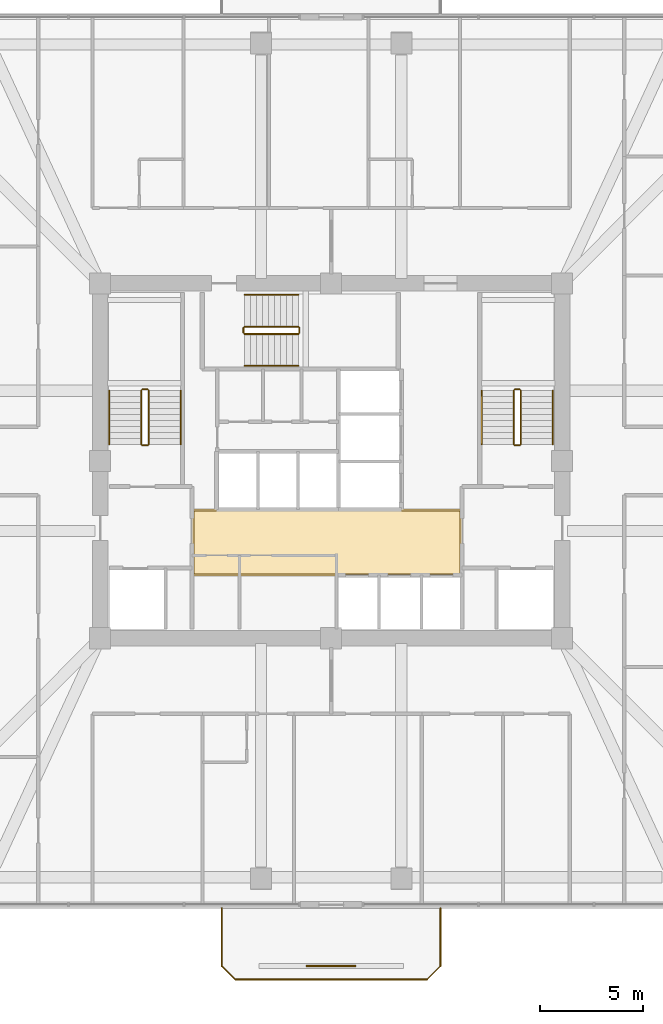
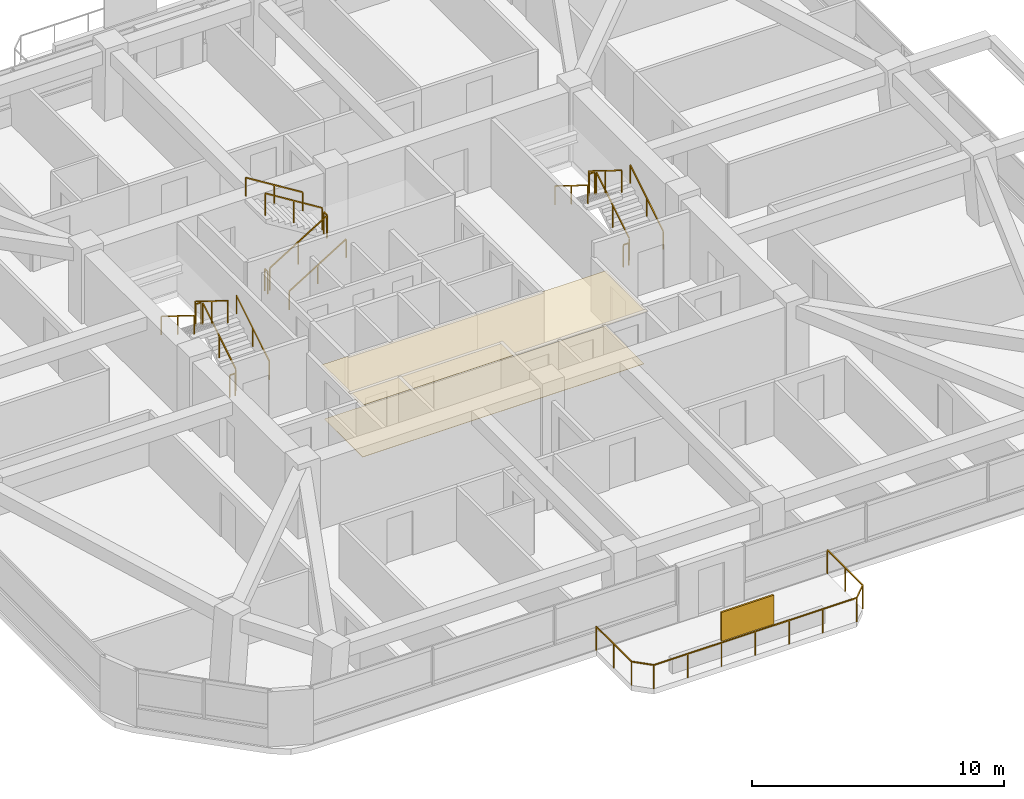
# One storey, part 12 of 13: 19 railings, 2 coverings, 1 shading device.
"""IFC4 building model written with IfcOpenShell, lengths in metres."""

from ifc_helpers import new_model, si_unit, derived_unit, direction, frame, origin, origin_2d, place, context, subcontext, project, spatial, polyline, rectangle, outline, extrude, material, layer, layer_set, type_object, element, save


model = new_model("IFC4")

# Units and contexts
model_context = context("Model", 3, precision=1e-05, world=origin(), true_north=direction((0.0, 1.0)))
body_context = subcontext(model_context, "Body", "Model", "MODEL_VIEW")
ifc_project = project(units=[si_unit("LENGTHUNIT", "METRE"), si_unit("AREAUNIT", "SQUARE_METRE"), si_unit("VOLUMEUNIT", "CUBIC_METRE"), si_unit("PLANEANGLEUNIT", "RADIAN"), si_unit("MASSUNIT", "GRAM", prefix="KILO"), derived_unit("THERMALTRANSMITTANCEUNIT", [(si_unit("POWERUNIT", "WATT"), 1), (si_unit("LENGTHUNIT", "METRE"), -2), (si_unit("THERMODYNAMICTEMPERATUREUNIT", "KELVIN"), -1)])], contexts=[model_context])

# Site, building, storey
site_placement = place(None, origin())
site = spatial("IfcSite", under=ifc_project, at=site_placement, CompositionType="ELEMENT")
building_placement = place(site_placement, origin())
building = spatial("IfcBuilding", under=site, at=building_placement, Name="Koralith Skygarden Medical Center", CompositionType="ELEMENT")
storey_placement = place(building_placement, frame((0.0, 0.0, 117.179931640625)))
storey = spatial("IfcBuildingStorey", under=building, at=storey_placement, Name="L30", CompositionType="ELEMENT", Elevation=117.179931640625)

# Covering
ifc_material_1 = material(Name="Acoustic Mineral Tile")
ifc_layer_1 = layer(ifc_material_1, 0.02001953125)
ifc_layer_set_1 = layer_set([ifc_layer_1], Name="Acoustic Mineral Tile")
covering_type_1 = type_object("IfcCoveringType", Name="Acoustic Hygienic Mineral Ceiling 20", PredefinedType="CEILING", material=ifc_layer_set_1)
covering_1_placement = place(storey_placement, frame((0.0, 0.0, 2.5849609375)))
element("IfcCovering", 1, at=covering_1_placement, inside=storey, type_object=covering_type_1, Name="L30 Core Lobby Acoustic Ceiling", PredefinedType="CEILING", context=body_context, shape_type="SweptSolid", body=[
    extrude(outline(polyline([(30.25, 20.320068359375), (43.35009765625, 20.320068359375), (43.35009765625, 23.56005859375), (30.25, 23.56005859375), (30.25, 20.320068359375)])), origin(), (0.0, 0.0, 1.0), 0.02001953125),
])

# Railing
ifc_material_2 = material(Name="Steel ASTM A500 Grade C", Category="steel")
railing_type_1 = type_object("IfcRailingType", Name="Outdoor Terrace & Balcony Safety Guardrail 1180", PredefinedType="GUARDRAIL", material=ifc_material_2)
railing_1_placement = place(storey_placement, frame((31.699951171875, 4.2080078125, 0.0)))
element("IfcRailing", 2, at=railing_1_placement, inside=storey, type_object=railing_type_1, Name="L30 S Balcony Perimeter Guardrail", PredefinedType="GUARDRAIL", context=body_context, shape_type="SweptSolid", body=[
    extrude(rectangle(XDim=0.050048828125, YDim=0.050048828125, at=origin_2d()), frame((0.0, -0.001953125, 1.15478515625), z_axis=(0.0, -1.0, 0.0), x_axis=(1.0, 0.0, 0.0)), (0.0, 0.0, 1.0), 2.796142578125),
    extrude(rectangle(XDim=0.050048828125, YDim=0.050048828125, at=origin_2d()), frame((0.00146484375, -2.801513671875, 1.15478515625), z_axis=(0.707239558722, -0.706973978714, 0.0), x_axis=(0.706973978714, 0.707239558722, 0.0)), (0.0, 0.0, 1.0), 0.915283203125),
    extrude(rectangle(XDim=0.050048828125, YDim=0.050048828125, at=origin_2d()), frame((0.652099609375, -3.449951171875, 1.15478515625), z_axis=(1.0, 0.0, 0.0), x_axis=(0.0, 1.0, 0.0)), (0.0, 0.0, 1.0), 9.2958984375),
    extrude(rectangle(XDim=0.050048828125, YDim=0.050048828125, at=origin_2d()), frame((9.951416015625, -3.448486328125, 1.15478515625), z_axis=(0.707239558722, 0.706973978714, 0.0), x_axis=(-0.706973978714, 0.707239558722, 0.0)), (0.0, 0.0, 1.0), 0.915283203125),
    extrude(rectangle(XDim=0.050048828125, YDim=0.050048828125, at=origin_2d()), frame((10.60009765625, -2.798095703125, 1.15478515625), z_axis=(0.0, 1.0, 0.0), x_axis=(-1.0, 0.0, 0.0)), (0.0, 0.0, 1.0), 2.796142578125),
    extrude(rectangle(XDim=0.0419921875, YDim=0.0419921875, at=origin_2d()), origin(), (0.0, 0.0, 1.0), 1.1279296875),
    extrude(rectangle(XDim=0.0419921875, YDim=0.0419921875, at=origin_2d()), frame((0.0, -1.39990234375, 0.0)), (0.0, 0.0, 1.0), 1.1279296875),
    extrude(rectangle(XDim=0.0419921875, YDim=0.0419921875, at=origin_2d()), frame((0.0, -2.800048828125, 0.0)), (0.0, 0.0, 1.0), 1.1279296875),
    extrude(rectangle(XDim=0.0419921875, YDim=0.0419921875, at=origin_2d()), frame((0.650146484375, -3.449951171875, 0.0)), (0.0, 0.0, 1.0), 1.1279296875),
    extrude(rectangle(XDim=0.0419921875, YDim=0.0419921875, at=origin_2d()), frame((2.2001953125, -3.449951171875, 0.0)), (0.0, 0.0, 1.0), 1.1279296875),
    extrude(rectangle(XDim=0.0419921875, YDim=0.0419921875, at=origin_2d()), frame((3.75, -3.449951171875, 0.0)), (0.0, 0.0, 1.0), 1.1279296875),
    extrude(rectangle(XDim=0.0419921875, YDim=0.0419921875, at=origin_2d()), frame((5.300048828125, -3.449951171875, 0.0)), (0.0, 0.0, 1.0), 1.1279296875),
    extrude(rectangle(XDim=0.0419921875, YDim=0.0419921875, at=origin_2d()), frame((6.85009765625, -3.449951171875, 0.0)), (0.0, 0.0, 1.0), 1.1279296875),
    extrude(rectangle(XDim=0.0419921875, YDim=0.0419921875, at=origin_2d()), frame((8.39990234375, -3.449951171875, 0.0)), (0.0, 0.0, 1.0), 1.1279296875),
    extrude(rectangle(XDim=0.0419921875, YDim=0.0419921875, at=origin_2d()), frame((9.949951171875, -3.449951171875, 0.0)), (0.0, 0.0, 1.0), 1.1279296875),
    extrude(rectangle(XDim=0.0419921875, YDim=0.0419921875, at=origin_2d()), frame((10.60009765625, -2.800048828125, 0.0)), (0.0, 0.0, 1.0), 1.1279296875),
    extrude(rectangle(XDim=0.0419921875, YDim=0.0419921875, at=origin_2d()), frame((10.60009765625, -1.39990234375, 0.0)), (0.0, 0.0, 1.0), 1.1279296875),
    extrude(rectangle(XDim=0.0419921875, YDim=0.0419921875, at=origin_2d()), frame((10.60009765625, 0.0, 0.0)), (0.0, 0.0, 1.0), 1.1279296875),
])

# Shading device
ifc_material_3 = material(Name="Aluminium 6063-T6", Category="aluminium")
ifc_layer_2 = layer(ifc_material_3, 0.080078125)
ifc_layer_set_2 = layer_set([ifc_layer_2], Name="Aluminium 6063-T6")
shading_device_type = type_object("IfcShadingDeviceType", Name="Perforated Biophilic Balcony Trellis Screen", PredefinedType="USERDEFINED", material=ifc_layer_set_2)
shading_device_placement = place(storey_placement, frame((37.0, 1.407958984375, 0.72021484375), z_axis=(0.0, 0.0, 1.0), x_axis=(1.0, 0.0, 0.0)))
element("IfcShadingDevice", 3, at=shading_device_placement, inside=storey, type_object=shading_device_type, Name="L30 S Biophilic Balcony Trellis Screen", ObjectType="HURRICANE SCREEN", PredefinedType="USERDEFINED", context=body_context, shape_type="SweptSolid", body=[
    extrude(rectangle(XDim=2.39990234375, YDim=0.080078125, at=origin_2d()), origin(), (0.0, 0.0, 1.0), 1.39990234375),
])

# Covering
ifc_material_4 = material(Name="Medical Terrazzo Flooring")
ifc_layer_3 = layer(ifc_material_4, 0.014892578125)
ifc_layer_set_3 = layer_set([ifc_layer_3], Name="Medical Terrazzo Flooring")
covering_type_2 = type_object("IfcCoveringType", Name="Seamless Antimicrobial Terrazzo Flooring 15", PredefinedType="FLOORING", material=ifc_layer_set_3)
covering_2_placement = place(storey_placement, origin())
element("IfcCovering", 4, at=covering_2_placement, inside=storey, type_object=covering_type_2, Name="L30 Core Lobby Terrazzo Flooring", PredefinedType="FLOORING", context=body_context, shape_type="SweptSolid", body=[
    extrude(outline(polyline([(30.35009765625, 20.419921875), (43.25, 20.419921875), (43.25, 23.4599609375), (30.35009765625, 23.4599609375), (30.35009765625, 20.419921875)])), origin(), (0.0, 0.0, 1.0), 0.01513671875),
])

# Railings
railing_type_2 = type_object("IfcRailingType", Name="Stair Flight Tubular Handrail 920", PredefinedType="HANDRAIL", material=ifc_material_2)
railing_2_placement = place(storey_placement, frame((29.699951171875, 26.699951171875, 0.18017578125)))
element("IfcRailing", 5, at=railing_2_placement, inside=storey, type_object=railing_type_2, Name="L30 ST1 stair handrail 1", PredefinedType="HANDRAIL", context=body_context, shape_type="SweptSolid", body=[
    extrude(rectangle(XDim=0.050048828125, YDim=0.050048828125, at=origin_2d()), frame((0.0, 0.001708984375, 0.89599609375), z_axis=(0.0, 0.849668407637, 0.527317358963), x_axis=(-1.0, 0.0, 0.0)), (0.0, 0.0, 1.0), 3.06787109375),
    extrude(rectangle(XDim=0.0419921875, YDim=0.0419921875, at=origin_2d()), origin(), (0.0, 0.0, 1.0), 0.867919921875),
    extrude(rectangle(XDim=0.0419921875, YDim=0.0419921875, at=origin_2d()), frame((0.0, 1.30517578125, 0.81005859375)), (0.0, 0.0, 1.0), 0.867919921875),
    extrude(rectangle(XDim=0.0419921875, YDim=0.0419921875, at=origin_2d()), frame((0.0, 2.610107421875, 1.619873046875)), (0.0, 0.0, 1.0), 0.867919921875),
])
railing_3_placement = place(storey_placement, frame((26.25, 29.31005859375, 1.97998046875)))
element("IfcRailing", 6, at=railing_3_placement, inside=storey, type_object=railing_type_2, Name="L30 ST1 stair handrail 2", PredefinedType="HANDRAIL", context=body_context, shape_type="SweptSolid", body=[
    extrude(rectangle(XDim=0.050048828125, YDim=0.050048828125, at=origin_2d()), frame((0.0, -0.001708984375, 0.89599609375), z_axis=(0.0, -0.849632798774, 0.527374731332), x_axis=(1.0, 0.0, 0.0)), (0.0, 0.0, 1.0), 3.068115234375),
    extrude(rectangle(XDim=0.0419921875, YDim=0.0419921875, at=origin_2d()), origin(), (0.0, 0.0, 1.0), 0.867919921875),
    extrude(rectangle(XDim=0.0419921875, YDim=0.0419921875, at=origin_2d()), frame((0.0, -1.30517578125, 0.81005859375)), (0.0, 0.0, 1.0), 0.867919921875),
    extrude(rectangle(XDim=0.0419921875, YDim=0.0419921875, at=origin_2d()), frame((0.0, -2.610107421875, 1.6201171875)), (0.0, 0.0, 1.0), 0.867919921875),
])
railing_4_placement = place(storey_placement, frame((47.75, 26.699951171875, 0.18017578125)))
element("IfcRailing", 7, at=railing_4_placement, inside=storey, type_object=railing_type_2, Name="L30 ST2 stair handrail 1", PredefinedType="HANDRAIL", context=body_context, shape_type="SweptSolid", body=[
    extrude(rectangle(XDim=0.050048828125, YDim=0.050048828125, at=origin_2d()), frame((0.0, 0.001708984375, 0.89599609375), z_axis=(0.0, 0.849668407637, 0.527317358963), x_axis=(-1.0, 0.0, 0.0)), (0.0, 0.0, 1.0), 3.06787109375),
    extrude(rectangle(XDim=0.0419921875, YDim=0.0419921875, at=origin_2d()), origin(), (0.0, 0.0, 1.0), 0.867919921875),
    extrude(rectangle(XDim=0.0419921875, YDim=0.0419921875, at=origin_2d()), frame((0.0, 1.30517578125, 0.81005859375)), (0.0, 0.0, 1.0), 0.867919921875),
    extrude(rectangle(XDim=0.0419921875, YDim=0.0419921875, at=origin_2d()), frame((0.0, 2.610107421875, 1.619873046875)), (0.0, 0.0, 1.0), 0.867919921875),
])
railing_5_placement = place(storey_placement, frame((44.300048828125, 29.31005859375, 1.97998046875)))
element("IfcRailing", 8, at=railing_5_placement, inside=storey, type_object=railing_type_2, Name="L30 ST2 stair handrail 2", PredefinedType="HANDRAIL", context=body_context, shape_type="SweptSolid", body=[
    extrude(rectangle(XDim=0.050048828125, YDim=0.050048828125, at=origin_2d()), frame((0.0, -0.001708984375, 0.89599609375), z_axis=(0.0, -0.849632798774, 0.527374731332), x_axis=(1.0, 0.0, 0.0)), (0.0, 0.0, 1.0), 3.068115234375),
    extrude(rectangle(XDim=0.0419921875, YDim=0.0419921875, at=origin_2d()), origin(), (0.0, 0.0, 1.0), 0.867919921875),
    extrude(rectangle(XDim=0.0419921875, YDim=0.0419921875, at=origin_2d()), frame((0.0, -1.30517578125, 0.81005859375)), (0.0, 0.0, 1.0), 0.867919921875),
    extrude(rectangle(XDim=0.0419921875, YDim=0.0419921875, at=origin_2d()), frame((0.0, -2.610107421875, 1.6201171875)), (0.0, 0.0, 1.0), 0.867919921875),
])
railing_6_placement = place(storey_placement, frame((32.800048828125, 30.5, 0.18017578125)))
element("IfcRailing", 9, at=railing_6_placement, inside=storey, type_object=railing_type_2, Name="L30 ST3 stair handrail 1", PredefinedType="HANDRAIL", context=body_context, shape_type="SweptSolid", body=[
    extrude(rectangle(XDim=0.050048828125, YDim=0.050048828125, at=origin_2d()), frame((0.001708984375, 0.0, 0.89599609375), z_axis=(0.849646306263, 0.0, 0.527352969322), x_axis=(0.0, 1.0, 0.0)), (0.0, 0.0, 1.0), 3.067626953125),
    extrude(rectangle(XDim=0.0419921875, YDim=0.0419921875, at=origin_2d()), origin(), (0.0, 0.0, 1.0), 0.867919921875),
    extrude(rectangle(XDim=0.0419921875, YDim=0.0419921875, at=origin_2d()), frame((1.304931640625, 0.0, 0.81005859375)), (0.0, 0.0, 1.0), 0.867919921875),
    extrude(rectangle(XDim=0.0419921875, YDim=0.0419921875, at=origin_2d()), frame((2.60986328125, 0.0, 1.619873046875)), (0.0, 0.0, 1.0), 0.867919921875),
])
railing_7_placement = place(storey_placement, frame((35.409912109375, 33.949951171875, 1.97998046875)))
element("IfcRailing", 10, at=railing_7_placement, inside=storey, type_object=railing_type_2, Name="L30 ST3 stair handrail 2", PredefinedType="HANDRAIL", context=body_context, shape_type="SweptSolid", body=[
    extrude(rectangle(XDim=0.050048828125, YDim=0.050048828125, at=origin_2d()), frame((-0.001708984375, 0.0, 0.89599609375), z_axis=(-0.849610693518, 0.0, 0.52741034258), x_axis=(0.0, -1.0, 0.0)), (0.0, 0.0, 1.0), 3.06787109375),
    extrude(rectangle(XDim=0.0419921875, YDim=0.0419921875, at=origin_2d()), origin(), (0.0, 0.0, 1.0), 0.867919921875),
    extrude(rectangle(XDim=0.0419921875, YDim=0.0419921875, at=origin_2d()), frame((-1.304931640625, 0.0, 0.81005859375)), (0.0, 0.0, 1.0), 0.867919921875),
    extrude(rectangle(XDim=0.0419921875, YDim=0.0419921875, at=origin_2d()), frame((-2.60986328125, 0.0, 1.6201171875)), (0.0, 0.0, 1.0), 0.867919921875),
])
railing_type_3 = type_object("IfcRailingType", Name="Stair Well Safety Guardrail 1100", PredefinedType="GUARDRAIL", material=ifc_material_2)
railing_8_placement = place(storey_placement, frame((28.14990234375, 26.699951171875, 0.18017578125)))
element("IfcRailing", 11, at=railing_8_placement, inside=storey, type_object=railing_type_3, Name="L30 ST1 stair guard 1", PredefinedType="GUARDRAIL", context=body_context, shape_type="SweptSolid", body=[
    extrude(rectangle(XDim=0.050048828125, YDim=0.050048828125, at=origin_2d()), frame((0.0, 0.001708984375, 1.076171875), z_axis=(0.0, 0.849668407637, 0.527317358963), x_axis=(-1.0, 0.0, 0.0)), (0.0, 0.0, 1.0), 3.06787109375),
    extrude(rectangle(XDim=0.0419921875, YDim=0.0419921875, at=origin_2d()), origin(), (0.0, 0.0, 1.0), 1.048095703125),
    extrude(rectangle(XDim=0.0419921875, YDim=0.0419921875, at=origin_2d()), frame((0.0, 1.30517578125, 0.81005859375)), (0.0, 0.0, 1.0), 1.048095703125),
    extrude(rectangle(XDim=0.0419921875, YDim=0.0419921875, at=origin_2d()), frame((0.0, 2.610107421875, 1.619873046875)), (0.0, 0.0, 1.0), 1.048095703125),
])
railing_9_placement = place(storey_placement, frame((28.10009765625, 29.360107421875, 1.800048828125)))
element("IfcRailing", 12, at=railing_9_placement, inside=storey, type_object=railing_type_3, Name="L30 ST1 stair guard 2", PredefinedType="GUARDRAIL", context=body_context, shape_type="SweptSolid", body=[
    extrude(rectangle(XDim=0.050048828125, YDim=0.050048828125, at=origin_2d()), frame((-0.001953125, 0.0, 1.0751953125), z_axis=(-1.0, 0.0, 0.0), x_axis=(0.0, -1.0, 0.0)), (0.0, 0.0, 1.0), 0.24609375),
    extrude(rectangle(XDim=0.0419921875, YDim=0.0419921875, at=origin_2d()), origin(), (0.0, 0.0, 1.0), 1.048095703125),
    extrude(rectangle(XDim=0.0419921875, YDim=0.0419921875, at=origin_2d()), frame((-0.25, 0.0, 0.0)), (0.0, 0.0, 1.0), 1.048095703125),
])
railing_10_placement = place(storey_placement, frame((27.800048828125, 29.31005859375, 1.97998046875)))
element("IfcRailing", 13, at=railing_10_placement, inside=storey, type_object=railing_type_3, Name="L30 ST1 stair guard 3", PredefinedType="GUARDRAIL", context=body_context, shape_type="SweptSolid", body=[
    extrude(rectangle(XDim=0.050048828125, YDim=0.050048828125, at=origin_2d()), frame((0.0, -0.001708984375, 1.076171875), z_axis=(0.0, -0.849632798774, 0.527374731332), x_axis=(1.0, 0.0, 0.0)), (0.0, 0.0, 1.0), 3.068115234375),
    extrude(rectangle(XDim=0.0419921875, YDim=0.0419921875, at=origin_2d()), origin(), (0.0, 0.0, 1.0), 1.048095703125),
    extrude(rectangle(XDim=0.0419921875, YDim=0.0419921875, at=origin_2d()), frame((0.0, -1.30517578125, 0.81005859375)), (0.0, 0.0, 1.0), 1.048095703125),
    extrude(rectangle(XDim=0.0419921875, YDim=0.0419921875, at=origin_2d()), frame((0.0, -2.610107421875, 1.6201171875)), (0.0, 0.0, 1.0), 1.048095703125),
])
railing_11_placement = place(storey_placement, frame((28.10009765625, 26.64990234375, 0.0)))
element("IfcRailing", 14, at=railing_11_placement, inside=storey, type_object=railing_type_3, Name="L30 ST1 stair guard 4", PredefinedType="GUARDRAIL", context=body_context, shape_type="SweptSolid", body=[
    extrude(rectangle(XDim=0.050048828125, YDim=0.050048828125, at=origin_2d()), frame((-0.001953125, 0.0, 1.0751953125), z_axis=(-1.0, 0.0, 0.0), x_axis=(0.0, -1.0, 0.0)), (0.0, 0.0, 1.0), 0.24609375),
    extrude(rectangle(XDim=0.0419921875, YDim=0.0419921875, at=origin_2d()), origin(), (0.0, 0.0, 1.0), 1.048095703125),
    extrude(rectangle(XDim=0.0419921875, YDim=0.0419921875, at=origin_2d()), frame((-0.25, 0.0, 0.0)), (0.0, 0.0, 1.0), 1.048095703125),
])
railing_12_placement = place(storey_placement, frame((46.199951171875, 26.699951171875, 0.18017578125)))
element("IfcRailing", 15, at=railing_12_placement, inside=storey, type_object=railing_type_3, Name="L30 ST2 stair guard 1", PredefinedType="GUARDRAIL", context=body_context, shape_type="SweptSolid", body=[
    extrude(rectangle(XDim=0.050048828125, YDim=0.050048828125, at=origin_2d()), frame((0.0, 0.001708984375, 1.076171875), z_axis=(0.0, 0.849668407637, 0.527317358963), x_axis=(-1.0, 0.0, 0.0)), (0.0, 0.0, 1.0), 3.06787109375),
    extrude(rectangle(XDim=0.0419921875, YDim=0.0419921875, at=origin_2d()), origin(), (0.0, 0.0, 1.0), 1.048095703125),
    extrude(rectangle(XDim=0.0419921875, YDim=0.0419921875, at=origin_2d()), frame((0.0, 1.30517578125, 0.81005859375)), (0.0, 0.0, 1.0), 1.048095703125),
    extrude(rectangle(XDim=0.0419921875, YDim=0.0419921875, at=origin_2d()), frame((0.0, 2.610107421875, 1.619873046875)), (0.0, 0.0, 1.0), 1.048095703125),
])
railing_13_placement = place(storey_placement, frame((46.14990234375, 29.360107421875, 1.800048828125)))
element("IfcRailing", 16, at=railing_13_placement, inside=storey, type_object=railing_type_3, Name="L30 ST2 stair guard 2", PredefinedType="GUARDRAIL", context=body_context, shape_type="SweptSolid", body=[
    extrude(rectangle(XDim=0.050048828125, YDim=0.050048828125, at=origin_2d()), frame((-0.001953125, 0.0, 1.0751953125), z_axis=(-1.0, 0.0, 0.0), x_axis=(0.0, -1.0, 0.0)), (0.0, 0.0, 1.0), 0.24609375),
    extrude(rectangle(XDim=0.0419921875, YDim=0.0419921875, at=origin_2d()), origin(), (0.0, 0.0, 1.0), 1.048095703125),
    extrude(rectangle(XDim=0.0419921875, YDim=0.0419921875, at=origin_2d()), frame((-0.25, 0.0, 0.0)), (0.0, 0.0, 1.0), 1.048095703125),
])
railing_14_placement = place(storey_placement, frame((45.85009765625, 29.31005859375, 1.97998046875)))
element("IfcRailing", 17, at=railing_14_placement, inside=storey, type_object=railing_type_3, Name="L30 ST2 stair guard 3", PredefinedType="GUARDRAIL", context=body_context, shape_type="SweptSolid", body=[
    extrude(rectangle(XDim=0.050048828125, YDim=0.050048828125, at=origin_2d()), frame((0.0, -0.001708984375, 1.076171875), z_axis=(0.0, -0.849632798774, 0.527374731332), x_axis=(1.0, 0.0, 0.0)), (0.0, 0.0, 1.0), 3.068115234375),
    extrude(rectangle(XDim=0.0419921875, YDim=0.0419921875, at=origin_2d()), origin(), (0.0, 0.0, 1.0), 1.048095703125),
    extrude(rectangle(XDim=0.0419921875, YDim=0.0419921875, at=origin_2d()), frame((0.0, -1.30517578125, 0.81005859375)), (0.0, 0.0, 1.0), 1.048095703125),
    extrude(rectangle(XDim=0.0419921875, YDim=0.0419921875, at=origin_2d()), frame((0.0, -2.610107421875, 1.6201171875)), (0.0, 0.0, 1.0), 1.048095703125),
])
railing_15_placement = place(storey_placement, frame((46.14990234375, 26.64990234375, 0.0)))
element("IfcRailing", 18, at=railing_15_placement, inside=storey, type_object=railing_type_3, Name="L30 ST2 stair guard 4", PredefinedType="GUARDRAIL", context=body_context, shape_type="SweptSolid", body=[
    extrude(rectangle(XDim=0.050048828125, YDim=0.050048828125, at=origin_2d()), frame((-0.001953125, 0.0, 1.0751953125), z_axis=(-1.0, 0.0, 0.0), x_axis=(0.0, -1.0, 0.0)), (0.0, 0.0, 1.0), 0.24609375),
    extrude(rectangle(XDim=0.0419921875, YDim=0.0419921875, at=origin_2d()), origin(), (0.0, 0.0, 1.0), 1.048095703125),
    extrude(rectangle(XDim=0.0419921875, YDim=0.0419921875, at=origin_2d()), frame((-0.25, 0.0, 0.0)), (0.0, 0.0, 1.0), 1.048095703125),
])
railing_16_placement = place(storey_placement, frame((32.800048828125, 32.050048828125, 0.18017578125)))
element("IfcRailing", 19, at=railing_16_placement, inside=storey, type_object=railing_type_3, Name="L30 ST3 stair guard 1", PredefinedType="GUARDRAIL", context=body_context, shape_type="SweptSolid", body=[
    extrude(rectangle(XDim=0.050048828125, YDim=0.050048828125, at=origin_2d()), frame((0.001708984375, 0.0, 1.076171875), z_axis=(0.849646306263, 0.0, 0.527352969322), x_axis=(0.0, 1.0, 0.0)), (0.0, 0.0, 1.0), 3.067626953125),
    extrude(rectangle(XDim=0.0419921875, YDim=0.0419921875, at=origin_2d()), origin(), (0.0, 0.0, 1.0), 1.048095703125),
    extrude(rectangle(XDim=0.0419921875, YDim=0.0419921875, at=origin_2d()), frame((1.304931640625, 0.0, 0.81005859375)), (0.0, 0.0, 1.0), 1.048095703125),
    extrude(rectangle(XDim=0.0419921875, YDim=0.0419921875, at=origin_2d()), frame((2.60986328125, 0.0, 1.619873046875)), (0.0, 0.0, 1.0), 1.048095703125),
])
railing_17_placement = place(storey_placement, frame((35.4599609375, 32.10009765625, 1.800048828125)))
element("IfcRailing", 20, at=railing_17_placement, inside=storey, type_object=railing_type_3, Name="L30 ST3 stair guard 2", PredefinedType="GUARDRAIL", context=body_context, shape_type="SweptSolid", body=[
    extrude(rectangle(XDim=0.050048828125, YDim=0.050048828125, at=origin_2d()), frame((0.0, 0.001953125, 1.0751953125), z_axis=(0.0, 1.0, 0.0), x_axis=(-1.0, 0.0, 0.0)), (0.0, 0.0, 1.0), 0.24609375),
    extrude(rectangle(XDim=0.0419921875, YDim=0.0419921875, at=origin_2d()), origin(), (0.0, 0.0, 1.0), 1.048095703125),
    extrude(rectangle(XDim=0.0419921875, YDim=0.0419921875, at=origin_2d()), frame((0.0, 0.25, 0.0)), (0.0, 0.0, 1.0), 1.048095703125),
])
railing_18_placement = place(storey_placement, frame((35.409912109375, 32.39990234375, 1.97998046875)))
element("IfcRailing", 21, at=railing_18_placement, inside=storey, type_object=railing_type_3, Name="L30 ST3 stair guard 3", PredefinedType="GUARDRAIL", context=body_context, shape_type="SweptSolid", body=[
    extrude(rectangle(XDim=0.050048828125, YDim=0.050048828125, at=origin_2d()), frame((-0.001708984375, 0.0, 1.076171875), z_axis=(-0.849610693518, 0.0, 0.52741034258), x_axis=(0.0, -1.0, 0.0)), (0.0, 0.0, 1.0), 3.06787109375),
    extrude(rectangle(XDim=0.0419921875, YDim=0.0419921875, at=origin_2d()), origin(), (0.0, 0.0, 1.0), 1.048095703125),
    extrude(rectangle(XDim=0.0419921875, YDim=0.0419921875, at=origin_2d()), frame((-1.304931640625, 0.0, 0.81005859375)), (0.0, 0.0, 1.0), 1.048095703125),
    extrude(rectangle(XDim=0.0419921875, YDim=0.0419921875, at=origin_2d()), frame((-2.60986328125, 0.0, 1.6201171875)), (0.0, 0.0, 1.0), 1.048095703125),
])
railing_19_placement = place(storey_placement, frame((32.75, 32.10009765625, 0.0)))
element("IfcRailing", 22, at=railing_19_placement, inside=storey, type_object=railing_type_3, Name="L30 ST3 stair guard 4", PredefinedType="GUARDRAIL", context=body_context, shape_type="SweptSolid", body=[
    extrude(rectangle(XDim=0.050048828125, YDim=0.050048828125, at=origin_2d()), frame((0.0, 0.001953125, 1.0751953125), z_axis=(0.0, 1.0, 0.0), x_axis=(-1.0, 0.0, 0.0)), (0.0, 0.0, 1.0), 0.24609375),
    extrude(rectangle(XDim=0.0419921875, YDim=0.0419921875, at=origin_2d()), origin(), (0.0, 0.0, 1.0), 1.048095703125),
    extrude(rectangle(XDim=0.0419921875, YDim=0.0419921875, at=origin_2d()), frame((0.0, 0.25, 0.0)), (0.0, 0.0, 1.0), 1.048095703125),
])

save(model, "model.ifc")
